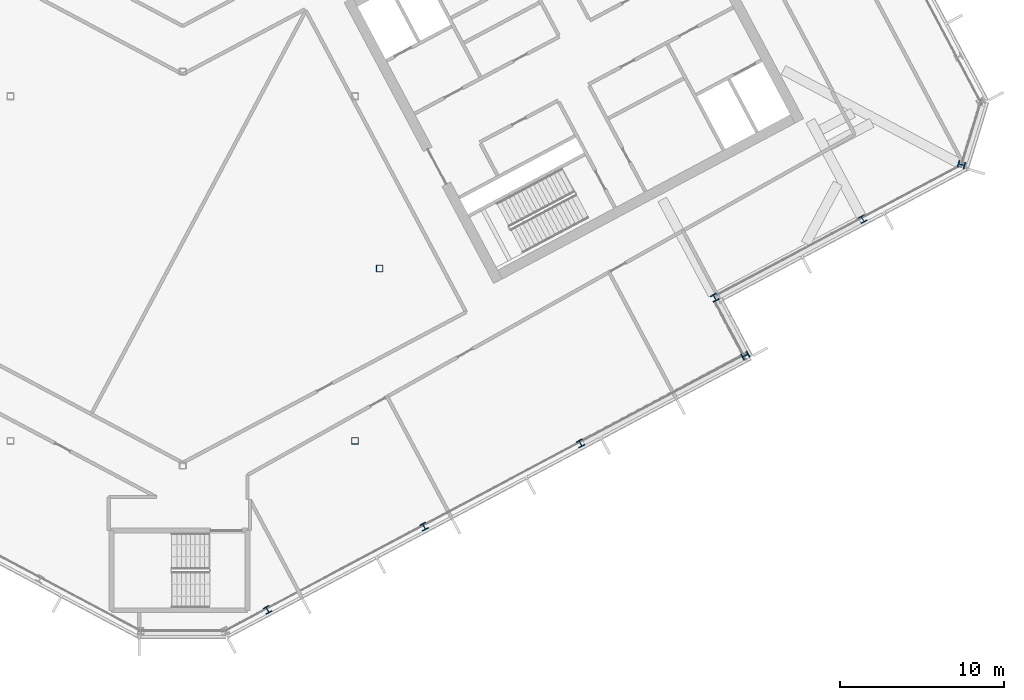
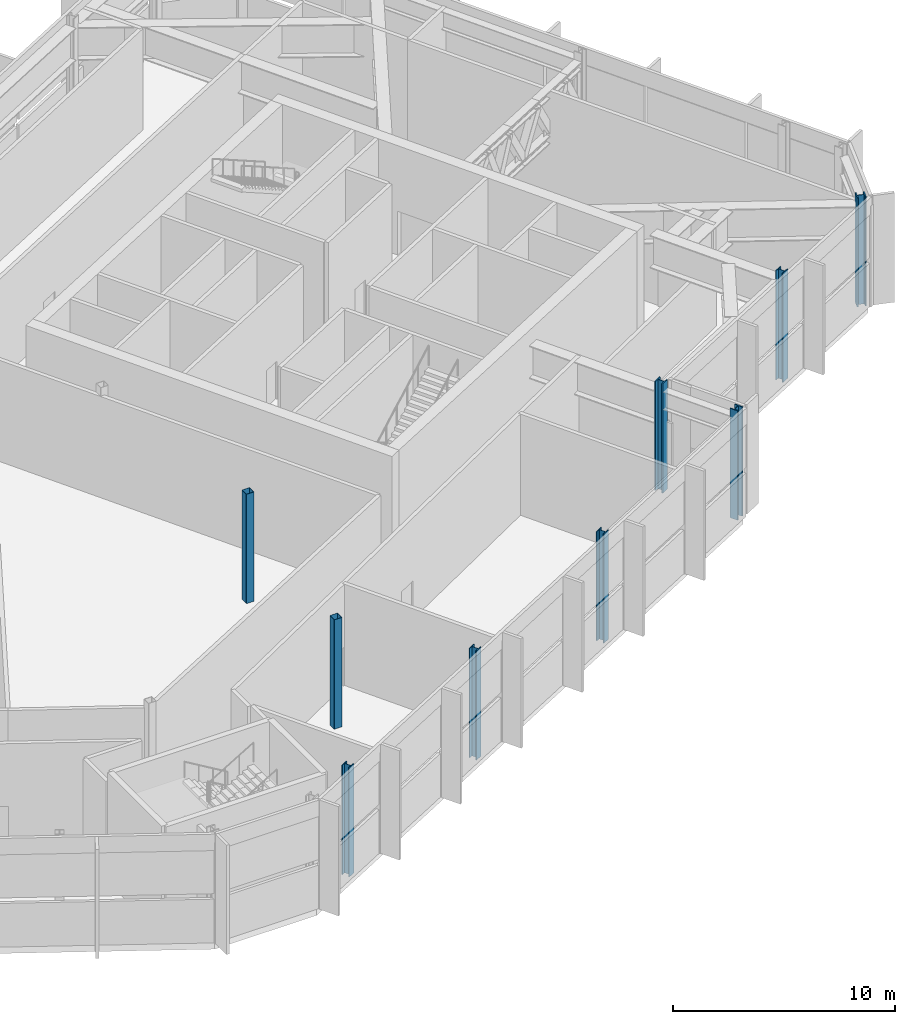
# One storey, part 5 of 33: 9 columns.
"""IFC4 building model written with IfcOpenShell, lengths in metres."""

import ifcopenshell
import ifcopenshell.guid

model = None  # the IFC model being written
_history = None  # IfcOwnerHistory: only IFC2X3 demands one
_inside = {}  # id of a spatial element -> (the spatial element, [elements in it])
_under = {}  # id of a project, library or spatial element -> (it, [spatial elements below it])
_declared = {}  # id of a project -> (the project, [libraries it declares])
_typed = {}  # id of a type object -> (the type object, [elements of that type])
_made_of = {}  # id of a material, layer set ... -> (it, [elements and type objects made of it])


def new_model(schema):
    """Start an empty IFC model of exactly this schema.

    Asked for "IFC4X3", IfcOpenShell would pick the latest addendum, in which some entities
    have other attributes; the version numbers below select the first issue.
    IFC2X3 requires an IfcOwnerHistory on every rooted entity: one is made here for all.
    """
    global model, _history
    if schema == "IFC4X3":
        model = ifcopenshell.file(schema_version=(4, 3, 0, 0))
    else:
        model = ifcopenshell.file(schema=schema)
    _inside.clear()
    _under.clear()
    _declared.clear()
    _typed.clear()
    _made_of.clear()
    _history = None
    if model.schema == "IFC2X3":
        org = make("IfcOrganization", Name="unknown")
        user = make(
            "IfcPersonAndOrganization",
            ThePerson=make("IfcPerson", FamilyName="unknown"),
            TheOrganization=org,
        )
        app = make(
            "IfcApplication",
            ApplicationDeveloper=org,
            Version="unknown",
            ApplicationFullName="unknown",
            ApplicationIdentifier="unknown",
        )
        _history = make(
            "IfcOwnerHistory",
            OwningUser=user,
            OwningApplication=app,
            ChangeAction="ADDED",
            CreationDate=0,
        )
    return model


def make(cls, **values):
    """One entity of the class cls with the attributes given. An attribute that is None is left unset."""
    return model.create_entity(
        cls, **{name: value for name, value in values.items() if value is not None}
    )


def rooted(cls, **values):
    """An entity with a GlobalId (a new one), such as an element, a storey or a relation."""
    return make(cls, GlobalId=ifcopenshell.guid.new(), OwnerHistory=_history, **values)


def si_unit(unit_type, name, prefix=None):
    """IfcSIUnit, for example si_unit("LENGTHUNIT", "METRE", prefix="MILLI")."""
    return make("IfcSIUnit", UnitType=unit_type, Prefix=prefix, Name=name)


def assignment(units):
    """IfcUnitAssignment: the units of a project."""
    return None if units is None else make("IfcUnitAssignment", Units=units)


def point(xyz):
    """IfcCartesianPoint."""
    return None if xyz is None else make("IfcCartesianPoint", Coordinates=xyz)


def direction(xyz):
    """IfcDirection."""
    return None if xyz is None else make("IfcDirection", DirectionRatios=xyz)


def frame(location, z_axis=None, x_axis=None):
    """IfcAxis2Placement3D, a coordinate frame: its origin and axes. An axis left out is left unset."""
    return make(
        "IfcAxis2Placement3D",
        Location=point(location),
        Axis=direction(z_axis),
        RefDirection=direction(x_axis),
    )


def frame_2d(location, x_axis=None):
    """IfcAxis2Placement2D, a coordinate frame in the plane: its origin and x axis."""
    return make(
        "IfcAxis2Placement2D", Location=point(location), RefDirection=direction(x_axis)
    )


def origin():
    """The frame at (0, 0, 0) with its axes left unset."""
    return frame((0.0, 0.0, 0.0))


def origin_2d():
    """The frame at (0, 0) in the plane with its x axis left unset."""
    return frame_2d((0.0, 0.0))


def place(relative_to, where):
    """IfcLocalPlacement: puts the frame where relative to a parent placement (None: the world)."""
    return make(
        "IfcLocalPlacement", PlacementRelTo=relative_to, RelativePlacement=where
    )


def context(
    kind, dimensions, precision=None, world=None, true_north=None, identifier=None
):
    """IfcGeometricRepresentationContext, for example the 3D "Model" context."""
    return make(
        "IfcGeometricRepresentationContext",
        ContextIdentifier=identifier,
        ContextType=kind,
        CoordinateSpaceDimension=dimensions,
        Precision=precision,
        WorldCoordinateSystem=world,
        TrueNorth=true_north,
    )


def subcontext(parent, identifier, kind, view, scale=None):
    """IfcGeometricRepresentationSubContext, for example "Body" below "Model"."""
    return make(
        "IfcGeometricRepresentationSubContext",
        ContextIdentifier=identifier,
        ContextType=kind,
        ParentContext=parent,
        TargetScale=scale,
        TargetView=view,
    )


def project(units=None, contexts=None):
    """IfcProject with its units and contexts."""
    return rooted(
        "IfcProject",
        Name="project",
        RepresentationContexts=contexts,
        UnitsInContext=assignment(units),
    )


def spatial(cls, under=None, at=None, **own):
    """A site, building, storey or space (cls), placed at a placement, below another one or the project."""
    s = rooted(cls, ObjectPlacement=at, **own)
    if under is not None:
        _under.setdefault(under.id(), (under, []))[1].append(s)
    return s


def profile(cls, at=None, kind="AREA", **sizes):
    """A parametric profile (cls). Its sizes go by their IFC names, for example OverallWidth=200.0."""
    return make(cls, ProfileType=kind, Position=at, **sizes)


def hollow_rectangle(**sizes):
    """IfcRectangleHollowProfileDef."""
    return profile("IfcRectangleHollowProfileDef", **sizes)


def i_section(**sizes):
    """IfcIShapeProfileDef."""
    return profile("IfcIShapeProfileDef", **sizes)


def extrude(swept, where, along, depth):
    """IfcExtrudedAreaSolid: the profile swept, set in the frame where, extruded along a direction by depth."""
    return make(
        "IfcExtrudedAreaSolid",
        SweptArea=swept,
        Position=where,
        ExtrudedDirection=direction(along),
        Depth=depth,
    )


def shape(context_of_items, identifier, shape_type, items):
    """IfcShapeRepresentation: the items that make up one representation, for example the "Body"."""
    return make(
        "IfcShapeRepresentation",
        ContextOfItems=context_of_items,
        RepresentationIdentifier=identifier,
        RepresentationType=shape_type,
        Items=items,
    )


def material(Name=None, Category=None):
    """IfcMaterial."""
    return make("IfcMaterial", Name=Name, Category=Category)


def material_profile(
    of_material, cross_section, Name=None, Category=None, Priority=None
):
    """IfcMaterialProfile: a cross section and its material."""
    return make(
        "IfcMaterialProfile",
        Name=Name,
        Material=of_material,
        Profile=cross_section,
        Priority=Priority,
        Category=Category,
    )


def profile_set(profiles, Name=None, composite=None):
    """IfcMaterialProfileSet."""
    return make(
        "IfcMaterialProfileSet",
        Name=Name,
        MaterialProfiles=profiles,
        CompositeProfile=composite,
    )


def made_of(thing, what):
    """Note that an element or type object is made of a material, layer set ...; save() writes the relation."""
    if what is not None:
        _made_of.setdefault(what.id(), (what, []))[1].append(thing)
    return thing


def type_object(cls, material=None, **own):
    """A type object (cls), such as IfcWallType, which elements share."""
    return made_of(rooted(cls, **own), material)


def element(
    cls,
    number,
    at=None,
    inside=None,
    cuts=None,
    type_object=None,
    material=None,
    context=None,
    identifier="Body",
    shape_type=None,
    held_by="IfcProductDefinitionShape",
    body=None,
    shapes=None,
    **own,
):
    """One element of the class cls, such as IfcWall. Its Tag is "e" and its number.

    at: its placement. inside: the storey or other place that contains it. cuts: it is an
    opening in that element (IfcRelVoidsElement). A single representation is given by context,
    identifier, shape_type and body (its items); several are given by shapes. held_by: the class
    of the entity that holds the representations. save() writes the other relations.
    """
    e = rooted(cls, Tag="e%d" % number, ObjectPlacement=at, **own)
    if body is not None:
        shapes = [shape(context, identifier, shape_type, body)]
    if shapes is not None:
        e.Representation = make(held_by, Representations=shapes)
    if inside is not None:
        _inside.setdefault(inside.id(), (inside, []))[1].append(e)
    if cuts is not None:
        rooted(
            "IfcRelVoidsElement", RelatingBuildingElement=cuts, RelatedOpeningElement=e
        )
    if type_object is not None:
        _typed.setdefault(type_object.id(), (type_object, []))[1].append(e)
    return made_of(e, material)


def aggregate(whole, parts):
    """IfcRelAggregates: a whole, such as a stair, and the parts it consists of."""
    return rooted("IfcRelAggregates", RelatingObject=whole, RelatedObjects=parts)


def save(model, path):
    """Write the relations noted so far, then the file.

    IfcRelAggregates (storeys below a building ...), IfcRelContainedInSpatialStructure (elements
    in a storey), IfcRelDefinesByType, IfcRelAssociatesMaterial and IfcRelDeclares: one each for
    every whole, place, type object, material and project.
    """
    for whole, parts in _under.values():
        aggregate(whole, parts)
    for where, things in _inside.values():
        rooted(
            "IfcRelContainedInSpatialStructure",
            RelatedElements=things,
            RelatingStructure=where,
        )
    for kind, things in _typed.values():
        rooted("IfcRelDefinesByType", RelatedObjects=things, RelatingType=kind)
    for what, things in _made_of.values():
        rooted("IfcRelAssociatesMaterial", RelatedObjects=things, RelatingMaterial=what)
    for by, libraries in _declared.values():
        rooted("IfcRelDeclares", RelatingContext=by, RelatedDefinitions=libraries)
    model.write(path)


model = new_model("IFC4")

# Units and contexts
model_context = context("Model", 3, precision=1e-05, world=origin(), true_north=direction((0.0, 1.0)))
body_context = subcontext(model_context, "Body", "Model", "MODEL_VIEW")
ifc_project = project(units=[si_unit("LENGTHUNIT", "METRE"), si_unit("AREAUNIT", "SQUARE_METRE"), si_unit("VOLUMEUNIT", "CUBIC_METRE"), si_unit("PLANEANGLEUNIT", "RADIAN"), si_unit("MASSUNIT", "GRAM", prefix="KILO")], contexts=[model_context])

# Site, building, storey
site_placement = place(None, origin())
site = spatial("IfcSite", under=ifc_project, at=site_placement, CompositionType="ELEMENT")
building_placement = place(site_placement, origin())
building = spatial("IfcBuilding", under=site, at=building_placement, Name="Cormorant Relay Tower", CompositionType="ELEMENT")
storey_placement = place(building_placement, frame((0.0, 0.0, 252.0)))
storey = spatial("IfcBuildingStorey", under=building, at=storey_placement, Name="L56", CompositionType="ELEMENT", Elevation=252.0)

# Columns
ifc_material_1 = material(Name="Steel ASTM A500 Grade C (Fy 345 MPa)", Category="steel")
ifc_material_profile_1 = material_profile(ifc_material_1, hollow_rectangle(XDim=0.406494140625, YDim=0.406494140625, WallThickness=0.0146484375, InnerFilletRadius=0.00732421875, OuterFilletRadius=0.022216796875, at=origin_2d()), Name="HSS406x406x15")
ifc_profile_set_1 = profile_set([ifc_material_profile_1], Name="Steel ASTM A500 Grade C (Fy 345 MPa)")
column_type_1 = type_object("IfcColumnType", Name="Column HSS406x406x15", PredefinedType="COLUMN", material=ifc_profile_set_1)
for number, where, z_axis, x_axis, name in (
    (1, (10.5, -10.5, 0.0), (0.0, 0.0, 1.0), (1.0, 0.0, 0.0), "Column L56-010"),
    (2, (12.0, 0.0, 0.0), (0.0, 0.0, 1.0), (1.0, 0.0, 0.0), "Column L56-016"),
):
    element("IfcColumn", number, at=place(storey_placement, frame(where, z_axis=z_axis, x_axis=x_axis)), inside=storey, type_object=column_type_1, Name=name, PredefinedType="COLUMN", context=body_context, shape_type="SweptSolid", body=[
        extrude(hollow_rectangle(XDim=0.406494140625, YDim=0.406494140625, WallThickness=0.0146484375, InnerFilletRadius=0.00732421875, OuterFilletRadius=0.022216796875, at=origin_2d()), origin(), (0.0, 0.0, 1.0), 6.0),
    ])
ifc_material_2 = material(Name="Steel ASTM A992 (Fy 345 MPa)", Category="steel")
ifc_material_profile_2 = material_profile(ifc_material_2, i_section(OverallWidth=0.40380859375, OverallDepth=0.406494140625, WebThickness=0.027099609375, FlangeThickness=0.043701171875, FilletRadius=0.01513671875, at=origin_2d()), Name="W360x347")
ifc_profile_set_2 = profile_set([ifc_material_profile_2], Name="Steel ASTM A992 (Fy 345 MPa)")
column_type_2 = type_object("IfcColumnType", Name="Column W360x347", PredefinedType="COLUMN", material=ifc_profile_set_2)
for number, where, z_axis, x_axis, name in (
    (3, (5.1689453125, -20.798095703125, 0.0), (0.0, 0.0, 1.0), (0.882947592859, 0.469471562786, 0.0), "Column L56-003"),
    (4, (14.705078125, -15.72705078125, 0.0), (0.0, 0.0, 1.0), (0.882947592859, 0.469471562786, 0.0), "Column L56-005"),
    (5, (24.240966796875, -10.656982421875, 0.0), (0.0, 0.0, 1.0), (0.882947592859, 0.469471562786, 0.0), "Column L56-008"),
    (6, (41.43408203125, 3.014892578125, 0.0), (0.0, 0.0, 1.0), (0.882947592859, 0.469471562786, 0.0), "Column L56-019"),
):
    element("IfcColumn", number, at=place(storey_placement, frame(where, z_axis=z_axis, x_axis=x_axis)), inside=storey, type_object=column_type_2, Name=name, PredefinedType="COLUMN", context=body_context, shape_type="SweptSolid", body=[
        extrude(i_section(OverallWidth=0.40380859375, OverallDepth=0.406494140625, WebThickness=0.027099609375, FlangeThickness=0.043701171875, FilletRadius=0.01513671875, at=origin_2d()), origin(), (0.0, 0.0, 1.0), 6.0),
    ])
ifc_material_3 = material(Name="Steel ASTM A992 (Fy 345 MPa)", Category="steel")
ifc_material_profile_3 = material_profile(ifc_material_3, i_section(OverallWidth=0.41162109375, OverallDepth=0.434326171875, WebThickness=0.035888671875, FlangeThickness=0.057373046875, FilletRadius=0.01513671875, at=origin_2d()), Name="W360x463")
ifc_profile_set_3 = profile_set([ifc_material_profile_3], Name="Steel ASTM A992 (Fy 345 MPa)")
column_type_3 = type_object("IfcColumnType", Name="Column W360x463", PredefinedType="COLUMN", material=ifc_profile_set_3)
for number, where, z_axis, x_axis, name in (
    (7, (34.284912109375, -5.305908203125, 0.0), (0.0, 0.0, 1.0), (-0.469471562786, 0.882947592859, 0.0), "Column L56-012"),
    (8, (32.4169921875, -1.777099609375, 0.0), (0.0, 0.0, 1.0), (0.882947592859, 0.469471562786, 0.0), "Column L56-014"),
    (9, (47.458984375, 6.325927734375, 0.0), (0.0, 0.0, 1.0), (0.292371704723, 0.956304755963, 0.0), "Column L56-020"),
):
    element("IfcColumn", number, at=place(storey_placement, frame(where, z_axis=z_axis, x_axis=x_axis)), inside=storey, type_object=column_type_3, Name=name, PredefinedType="COLUMN", context=body_context, shape_type="SweptSolid", body=[
        extrude(i_section(OverallWidth=0.41162109375, OverallDepth=0.434326171875, WebThickness=0.035888671875, FlangeThickness=0.057373046875, FilletRadius=0.01513671875, at=origin_2d()), origin(), (0.0, 0.0, 1.0), 6.0),
    ])

save(model, "model.ifc")
